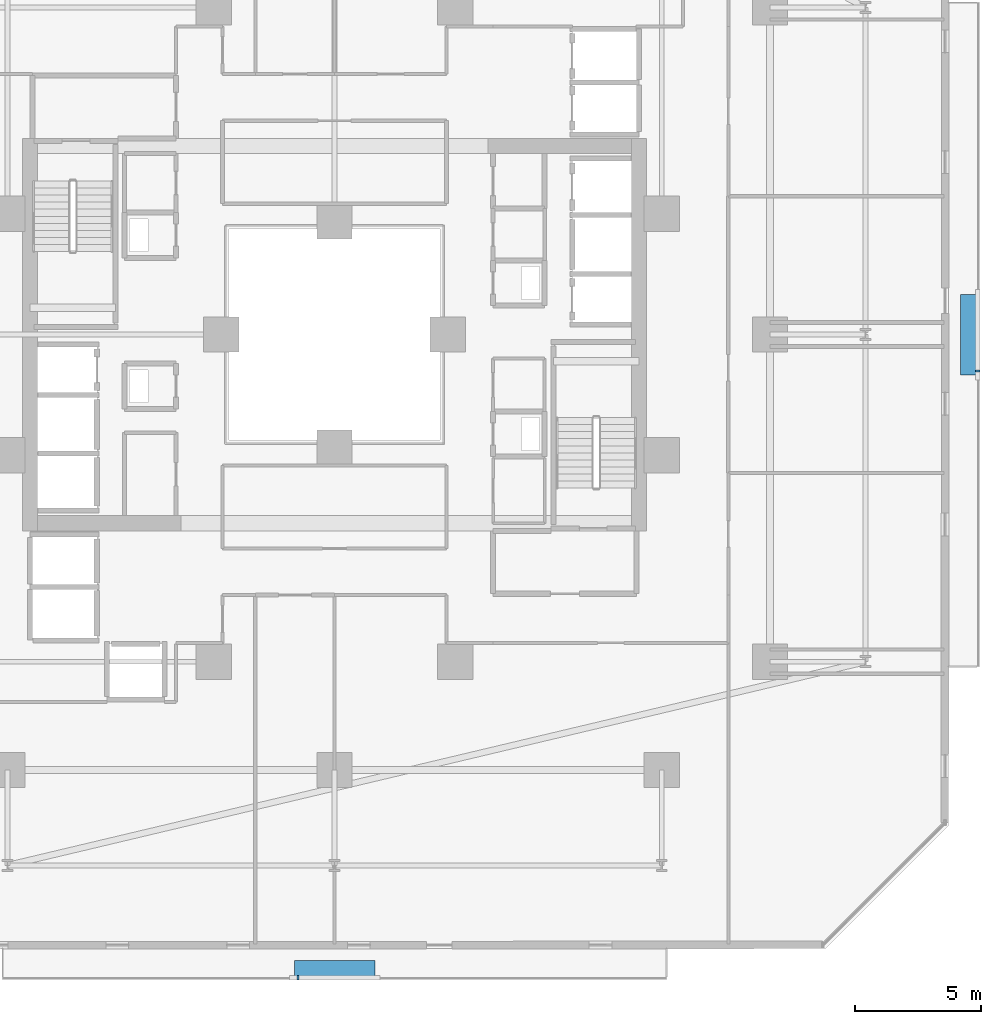
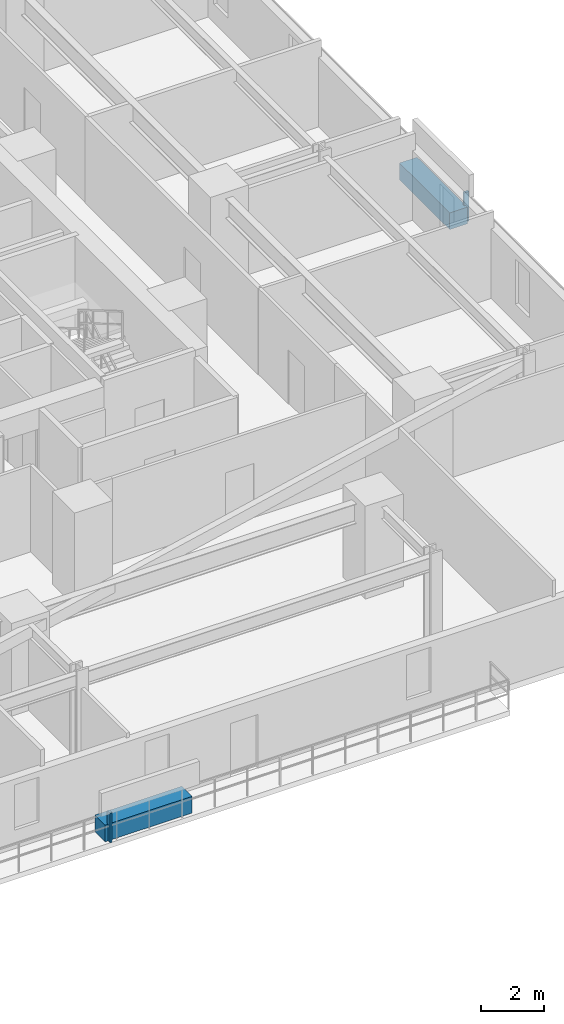
# One storey, part 28 of 33: 4 discrete accessories.
"""IFC4 building model written with IfcOpenShell, lengths in metres."""

from ifc_helpers import new_model, si_unit, direction, frame, origin, origin_2d, place, context, subcontext, project, spatial, rectangle, extrude, material, type_object, element, save


model = new_model("IFC4")

# Units and contexts
model_context = context("Model", 3, precision=1e-05, world=origin(), true_north=direction((0.0, 1.0)))
body_context = subcontext(model_context, "Body", "Model", "MODEL_VIEW")
ifc_project = project(units=[si_unit("LENGTHUNIT", "METRE"), si_unit("AREAUNIT", "SQUARE_METRE"), si_unit("VOLUMEUNIT", "CUBIC_METRE"), si_unit("PLANEANGLEUNIT", "RADIAN"), si_unit("MASSUNIT", "GRAM", prefix="KILO")], contexts=[model_context])

# Site, building, storey
site_placement = place(None, origin())
site = spatial("IfcSite", under=ifc_project, at=site_placement, CompositionType="ELEMENT")
building_placement = place(site_placement, origin())
building = spatial("IfcBuilding", under=site, at=building_placement, Name="Thornwick Lancets Civic Towers", CompositionType="ELEMENT")
storey_placement = place(building_placement, frame((0.0, 0.0, 42.300048828125)))
storey = spatial("IfcBuildingStorey", under=building, at=storey_placement, Name="L10", CompositionType="ELEMENT", Elevation=42.300048828125)

# Discrete accessories
ifc_material_1 = material(Name="Planted terracotta greenery planter", Category="masonry")
discrete_accessory_type_1 = type_object("IfcDiscreteAccessoryType", Name="ACC_PLANTER_BOX", PredefinedType="USERDEFINED", material=ifc_material_1)
discrete_accessory_1_placement = place(storey_placement, frame((88.5, 1.800048828125, 0.0), z_axis=(0.0, 0.0, 1.0), x_axis=(1.0, 0.0, 0.0)))
element("IfcDiscreteAccessory", 1, at=discrete_accessory_1_placement, inside=storey, type_object=discrete_accessory_type_1, Name="L10 Tower B Balcony Greenery Planter S", ObjectType="PLANTER", PredefinedType="USERDEFINED", context=body_context, shape_type="SweptSolid", body=[
    extrude(rectangle(XDim=3.199951171875, YDim=0.64990234375, at=origin_2d()), origin(), (0.0, 0.0, 1.0), 0.64990234375),
])
discrete_accessory_2_placement = place(storey_placement, frame((113.699951171875, 27.0, 0.0), z_axis=(0.0, 0.0, 1.0), x_axis=(1.0, 0.0, 0.0)))
element("IfcDiscreteAccessory", 2, at=discrete_accessory_2_placement, inside=storey, type_object=discrete_accessory_type_1, Name="L10 Tower B Balcony Greenery Planter E", ObjectType="PLANTER", PredefinedType="USERDEFINED", context=body_context, shape_type="SweptSolid", body=[
    extrude(rectangle(XDim=0.64990234375, YDim=3.199951171875, at=origin_2d()), origin(), (0.0, 0.0, 1.0), 0.64990234375),
])
ifc_material_2 = material(Name="Stainless steel S355", Category="steel")
discrete_accessory_type_2 = type_object("IfcDiscreteAccessoryType", Name="ACC_SCREEN_BRACKET", PredefinedType="BRACKET", material=ifc_material_2)
for number, where, z_axis, x_axis, name in (
    (3, (87.050048828125, 1.43994140625, 0.0), (0.0, 0.0, 1.0), (1.0, 0.0, 0.0), "L10 Tower B Balcony Screen Stanchion Bracket S-1"),
    (4, (114.06005859375, 25.550048828125, 0.0), (0.0, 0.0, 1.0), (0.0, 1.0, 0.0), "L10 Tower B Balcony Screen Stanchion Bracket E-1"),
):
    element("IfcDiscreteAccessory", number, at=place(storey_placement, frame(where, z_axis=z_axis, x_axis=x_axis)), inside=storey, type_object=discrete_accessory_type_2, Name=name, PredefinedType="BRACKET", context=body_context, shape_type="SweptSolid", body=[
        extrude(rectangle(XDim=0.080078125, YDim=0.179931640625, at=origin_2d()), origin(), (0.0, 0.0, 1.0), 1.14990234375),
    ])

save(model, "model.ifc")
